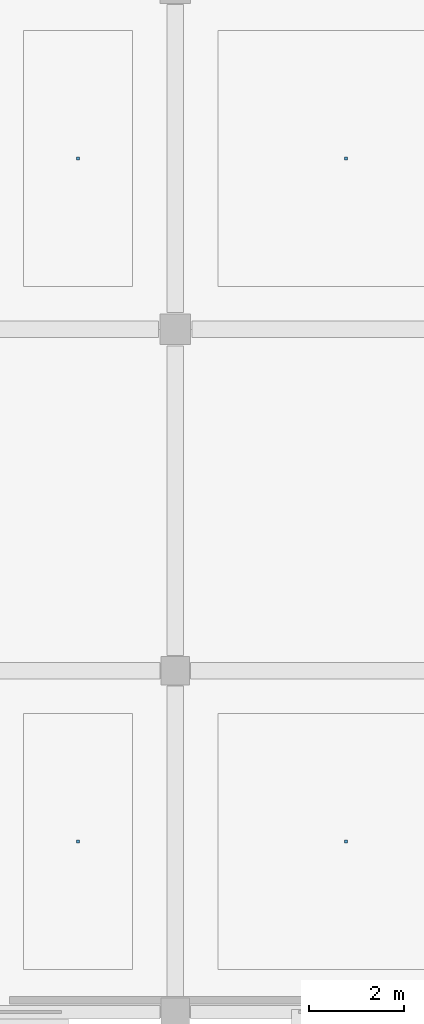
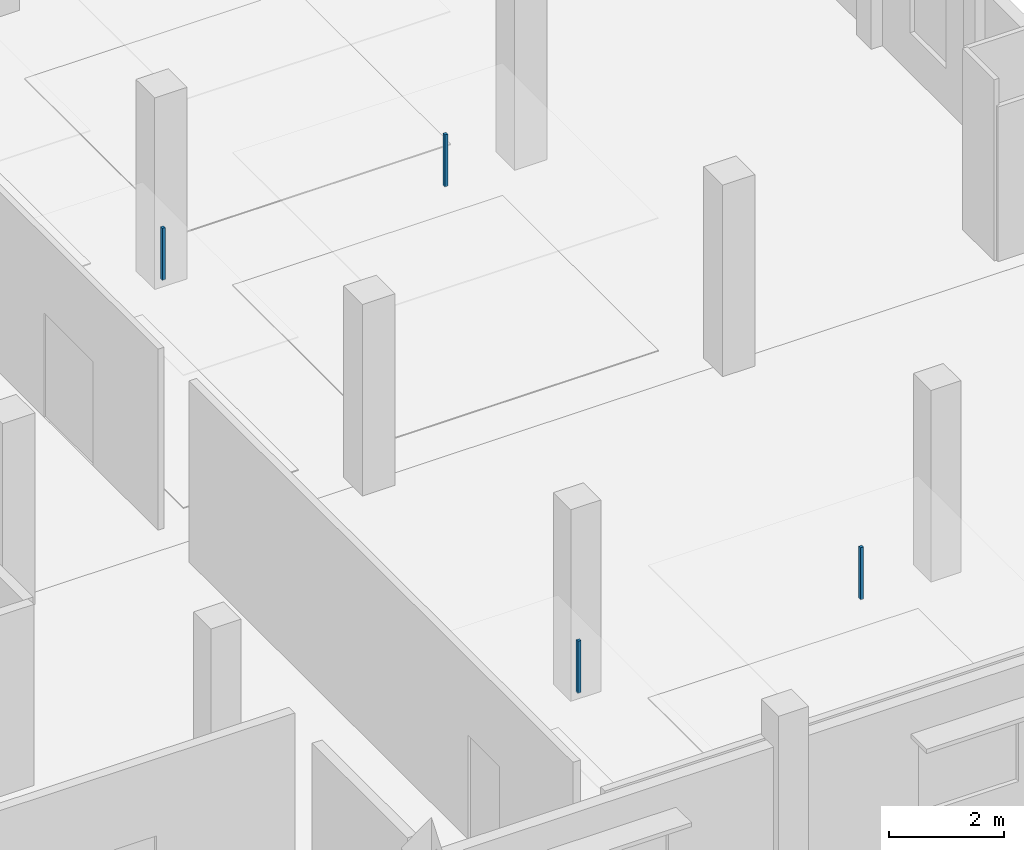
# One storey, part 68 of 77: 4 discrete accessories.
"""IFC4 building model written with IfcOpenShell, lengths in metres."""

from ifc_helpers import new_model, si_unit, direction, frame, origin, origin_2d, place, context, subcontext, project, spatial, rectangle, extrude, material, type_object, element, save


model = new_model("IFC4")

# Units and contexts
model_context = context("Model", 3, precision=1e-05, world=origin(), true_north=direction((0.0, 1.0)))
body_context = subcontext(model_context, "Body", "Model", "MODEL_VIEW")
ifc_project = project(units=[si_unit("LENGTHUNIT", "METRE"), si_unit("AREAUNIT", "SQUARE_METRE"), si_unit("VOLUMEUNIT", "CUBIC_METRE"), si_unit("PLANEANGLEUNIT", "RADIAN"), si_unit("MASSUNIT", "GRAM", prefix="KILO")], contexts=[model_context])

# Site, building, storey
site_placement = place(None, origin())
site = spatial("IfcSite", under=ifc_project, at=site_placement, CompositionType="ELEMENT")
building_placement = place(site_placement, origin())
building = spatial("IfcBuilding", under=site, at=building_placement, Name="Kangsadwip Square Police Headquarters", CompositionType="ELEMENT")
storey_placement = place(building_placement, frame((0.0, 0.0, 17.550048828125)))
storey = spatial("IfcBuildingStorey", under=building, at=storey_placement, Name="L04", CompositionType="ELEMENT", Elevation=17.550048828125)

# Discrete accessories
ifc_material = material(Name="Structural steel IS 2062 E350 (Grade 350, 350 MPa)", Category="steel")
discrete_accessory_type = type_object("IfcDiscreteAccessoryType", Name="VeilOutriggerBracket", PredefinedType="BRACKET", material=ifc_material)
for number, where, z_axis, x_axis, name in (
    (1, (149.14990234375, 39.60009765625, 2.809814453125), (0.0, 0.0, 1.0), (1.0, 0.0, 0.0), "Ceiling Suspension Hanger L04-124"),
    (2, (154.800048828125, 39.60009765625, 2.809814453125), (0.0, 0.0, 1.0), (1.0, 0.0, 0.0), "Ceiling Suspension Hanger L04-125"),
    (3, (149.14990234375, 25.199951171875, 2.809814453125), (0.0, 0.0, 1.0), (1.0, 0.0, 0.0), "Ceiling Suspension Hanger L04-131"),
    (4, (154.800048828125, 25.199951171875, 2.809814453125), (0.0, 0.0, 1.0), (1.0, 0.0, 0.0), "Ceiling Suspension Hanger L04-132"),
):
    element("IfcDiscreteAccessory", number, at=place(storey_placement, frame(where, z_axis=z_axis, x_axis=x_axis)), inside=storey, type_object=discrete_accessory_type, Name=name, PredefinedType="BRACKET", context=body_context, shape_type="SweptSolid", body=[
        extrude(rectangle(XDim=0.06005859375, YDim=0.06005859375, at=origin_2d()), origin(), (0.0, 0.0, 1.0), 1.10009765625),
    ])

save(model, "model.ifc")
